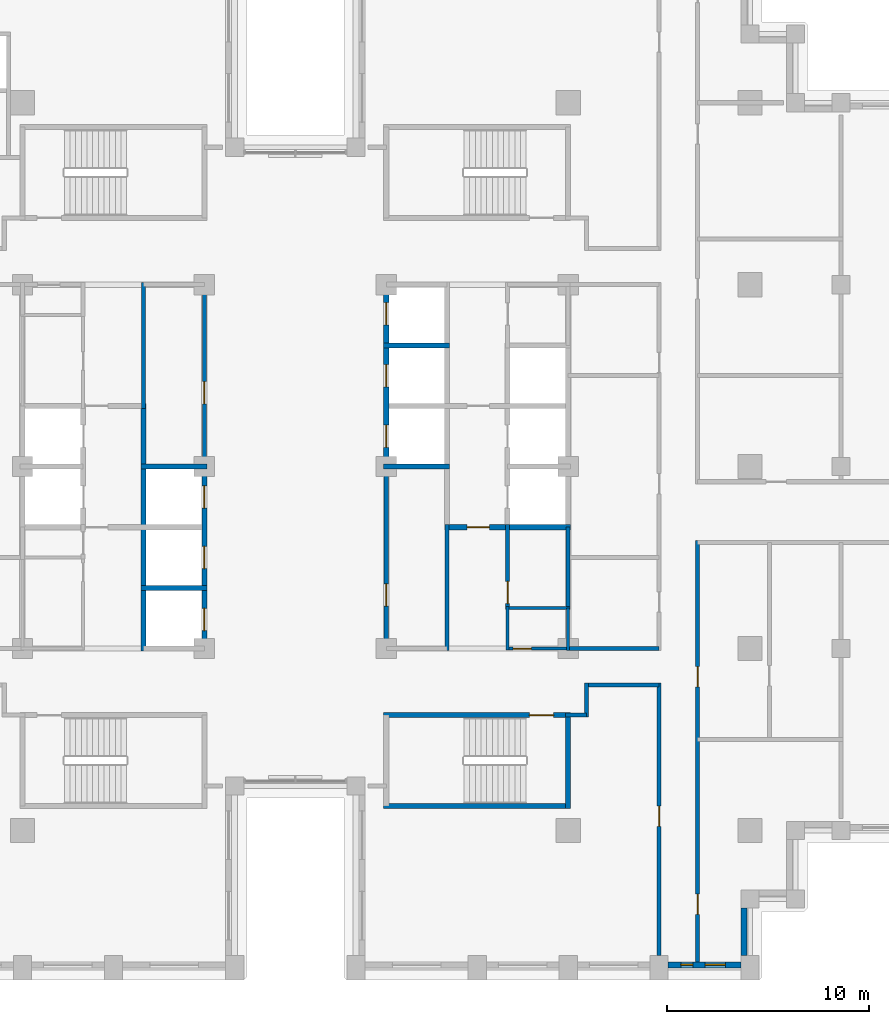
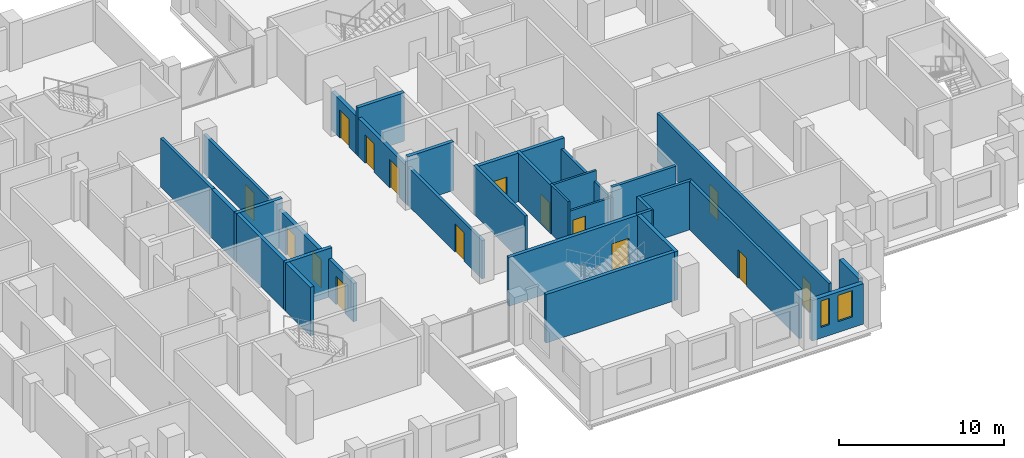
# One storey, part 8 of 16: 29 walls, 15 doors, 2 windows, 17 openings.
"""IFC4 building model written with IfcOpenShell, lengths in metres."""

from ifc_helpers import new_model, si_unit, direction, frame, frame_2d, origin, place, context, subcontext, project, spatial, rectangle, extrude, material, layer, layer_set, type_object, element, fill, save


model = new_model("IFC4")

# Units and contexts
model_context = context("Model", 3, precision=1e-05, world=origin(), true_north=direction((0.0, 1.0)))
body_context = subcontext(model_context, "Body", "Model", "MODEL_VIEW")
ifc_project = project(units=[si_unit("LENGTHUNIT", "METRE"), si_unit("AREAUNIT", "SQUARE_METRE"), si_unit("VOLUMEUNIT", "CUBIC_METRE"), si_unit("PLANEANGLEUNIT", "RADIAN"), si_unit("MASSUNIT", "GRAM", prefix="KILO")], contexts=[model_context])

# Site, building, storey
site_placement = place(None, origin())
site = spatial("IfcSite", under=ifc_project, at=site_placement, CompositionType="ELEMENT")
building_placement = place(site_placement, origin())
building = spatial("IfcBuilding", under=site, at=building_placement, Name="Corbelhall Arena Tower", CompositionType="ELEMENT")
storey_placement = place(building_placement, frame((0.0, 0.0, 116.0)))
storey = spatial("IfcBuildingStorey", under=building, at=storey_placement, Name="L21", CompositionType="ELEMENT", Elevation=116.0)

# Wall, openings, windows
ifc_material_1 = material(Name="Precast concrete C40/50 with granite facing", Category="masonry")
ifc_layer_1 = layer(ifc_material_1, 0.300048828125)
ifc_layer_set_1 = layer_set([ifc_layer_1], Name="EV-IW1 Infill panel 300")
wall_type_1 = type_object("IfcWallType", Name="EV-IW1 Infill panel 300", PredefinedType="SOLIDWALL", material=ifc_layer_set_1)
wall_1_placement = place(storey_placement, frame((18.449951171875, -24.64990234375, 0.0), z_axis=(0.0, 0.0, 1.0), x_axis=(1.0, 0.0, 0.0)))
wall_1 = element("IfcWall", 1, at=wall_1_placement, inside=storey, type_object=wall_type_1, Name="Infill panel IW1", PredefinedType="SOLIDWALL", context=body_context, shape_type="SweptSolid", body=[
    extrude(rectangle(XDim=3.60009765625, YDim=0.300048828125, at=frame_2d((1.800048828125, 0.0))), origin(), (0.0, 0.0, 1.0), 2.99951171875),
])
opening_1_placement = place(wall_1_placement, frame((0.625, 0.0, 0.800048828125)))
opening_1 = element("IfcOpeningElement", 2, at=opening_1_placement, cuts=wall_1, Name="Opening WN5", PredefinedType="OPENING", context=body_context, shape_type="SweptSolid", body=[
    extrude(rectangle(XDim=0.60009765625, YDim=1.949951171875, at=frame_2d((0.300048828125, 0.97509765625))), frame((0.0, 0.14990234375, 0.0), z_axis=(0.0, -1.0, 0.0), x_axis=(1.0, 0.0, 0.0)), (0.0, 0.0, 1.0), 0.300048828125),
])
opening_2_placement = place(wall_1_placement, frame((1.824951171875, 0.0, 0.800048828125)))
opening_2 = element("IfcOpeningElement", 3, at=opening_2_placement, cuts=wall_1, Name="Opening WN6", PredefinedType="OPENING", context=body_context, shape_type="SweptSolid", body=[
    extrude(rectangle(XDim=1.0, YDim=1.949951171875, at=frame_2d((0.5, 0.97509765625))), frame((0.0, 0.14990234375, 0.0), z_axis=(0.0, -1.0, 0.0), x_axis=(1.0, 0.0, 0.0)), (0.0, 0.0, 1.0), 0.300048828125),
])
ifc_material_2 = material(Name="Aluminium black anodised", Category="aluminium")
window_type_1 = type_object("IfcWindowType", Name="EV-WN5 Office window 600", PartitioningType="SINGLE_PANEL", PredefinedType="WINDOW", material=ifc_material_2)
window_1_placement = place(opening_1_placement, origin())
window_1 = element("IfcWindow", 4, at=window_1_placement, inside=storey, type_object=window_type_1, Name="Window WN5", OverallHeight=1.949951171875, OverallWidth=0.60009765625, PartitioningType="SINGLE_PANEL", PredefinedType="WINDOW", context=body_context, shape_type="SweptSolid", body=[
    extrude(rectangle(XDim=0.60009765625, YDim=1.949951171875, at=frame_2d((0.300048828125, 0.97509765625))), frame((0.0, 0.030029296875, 0.0), z_axis=(0.0, -1.0, 0.0), x_axis=(1.0, 0.0, 0.0)), (0.0, 0.0, 1.0), 0.06005859375),
])
fill(opening_1, window_1)
window_type_2 = type_object("IfcWindowType", Name="EV-WN6 Office window 1000", PartitioningType="SINGLE_PANEL", PredefinedType="WINDOW", material=ifc_material_2)
window_2_placement = place(opening_2_placement, origin())
window_2 = element("IfcWindow", 5, at=window_2_placement, inside=storey, type_object=window_type_2, Name="Window WN6", OverallHeight=1.949951171875, OverallWidth=1.0, PartitioningType="SINGLE_PANEL", PredefinedType="WINDOW", context=body_context, shape_type="SweptSolid", body=[
    extrude(rectangle(XDim=1.0, YDim=1.949951171875, at=frame_2d((0.5, 0.97509765625))), frame((0.0, 0.030029296875, 0.0), z_axis=(0.0, -1.0, 0.0), x_axis=(1.0, 0.0, 0.0)), (0.0, 0.0, 1.0), 0.06005859375),
])
fill(opening_2, window_2)

# Walls
wall_2_placement = place(storey_placement, frame((22.199951171875, -24.199951171875, 0.0), z_axis=(0.0, 0.0, 1.0), x_axis=(0.0, 1.0, 0.0)))
element("IfcWall", 6, at=wall_2_placement, inside=storey, type_object=wall_type_1, Name="Infill panel IW1", PredefinedType="SOLIDWALL", context=body_context, shape_type="SweptSolid", body=[
    extrude(rectangle(XDim=2.349853515625, YDim=0.300048828125, at=frame_2d((1.1748046875, 0.0))), origin(), (0.0, 0.0, 1.0), 2.99951171875),
])
ifc_material_3 = material(Name="Gypsum board on steel stud, acoustic", Category="steel")
ifc_layer_2 = layer(ifc_material_3, 0.199951171875)
ifc_layer_set_2 = layer_set([ifc_layer_2], Name="IN-W-DM200")
wall_type_2 = type_object("IfcWallType", Name="IN-W-DM200", PredefinedType="PARTITIONING", material=ifc_layer_set_2)
wall_3_placement = place(storey_placement, frame((13.5, -9.0, 0.0), z_axis=(0.0, 0.0, 1.0), x_axis=(1.0, 0.0, 0.0)))
element("IfcWall", 7, at=wall_3_placement, inside=storey, type_object=wall_type_2, Name="Partition 037", PredefinedType="PARTITIONING", context=body_context, shape_type="SweptSolid", body=[
    extrude(rectangle(XDim=4.5, YDim=0.199951171875, at=frame_2d((2.25, 0.0))), origin(), (0.0, 0.0, 1.0), 3.599609375),
])
wall_4_placement = place(storey_placement, frame((14.39990234375, -12.300048828125, 0.0), z_axis=(0.0, 0.0, 1.0), x_axis=(-1.0, 0.0, 0.0)))
element("IfcWall", 8, at=wall_4_placement, inside=storey, type_object=wall_type_2, Name="Partition 040", PredefinedType="PARTITIONING", context=body_context, shape_type="SweptSolid", body=[
    extrude(rectangle(XDim=1.02490234375, YDim=0.199951171875, at=frame_2d((0.512451171875, 0.0))), origin(), (0.0, 0.0, 1.0), 3.599609375),
])
wall_5_placement = place(storey_placement, frame((14.39990234375, -10.699951171875, 0.0), z_axis=(0.0, 0.0, 1.0), x_axis=(0.0, -1.0, 0.0)))
element("IfcWall", 9, at=wall_5_placement, inside=storey, type_object=wall_type_2, Name="Partition 041", PredefinedType="PARTITIONING", context=body_context, shape_type="SweptSolid", body=[
    extrude(rectangle(XDim=1.699951171875, YDim=0.199951171875, at=frame_2d((0.85009765625, 0.0))), origin(), (0.0, 0.0, 1.0), 3.599609375),
])

# Wall, opening, door
wall_6_placement = place(storey_placement, frame((18.0, -24.199951171875, 0.0), z_axis=(0.0, 0.0, 1.0), x_axis=(0.0, 1.0, 0.0)))
wall_6 = element("IfcWall", 10, at=wall_6_placement, inside=storey, type_object=wall_type_2, Name="Partition 045", PredefinedType="PARTITIONING", context=body_context, shape_type="SweptSolid", body=[
    extrude(rectangle(XDim=13.5, YDim=0.199951171875, at=frame_2d((6.75, 0.0))), origin(), (0.0, 0.0, 1.0), 3.599609375),
])
opening_3_placement = place(wall_6_placement, frame((6.39990234375, 0.0, 0.0)))
opening_3 = element("IfcOpeningElement", 11, at=opening_3_placement, cuts=wall_6, Name="Opening 05030", PredefinedType="OPENING", context=body_context, shape_type="SweptSolid", body=[
    extrude(rectangle(XDim=1.0, YDim=2.10009765625, at=frame_2d((0.5, 1.050048828125))), frame((0.0, 0.10009765625, 0.0), z_axis=(0.0, -1.0, 0.0), x_axis=(1.0, 0.0, 0.0)), (0.0, 0.0, 1.0), 0.199951171875),
])
ifc_material_4 = material(Name="Steel door set", Category="steel")
door_type_1 = type_object("IfcDoorType", Name="IN-D-SW100", OperationType="NOTDEFINED", PredefinedType="DOOR", material=ifc_material_4)
door_1_placement = place(opening_3_placement, origin())
door_1 = element("IfcDoor", 12, at=door_1_placement, inside=storey, type_object=door_type_1, Name="Door 030", OperationType="SINGLE_SWING_LEFT", OverallHeight=2.10009765625, OverallWidth=1.0, PredefinedType="DOOR", context=body_context, shape_type="SweptSolid", body=[
    extrude(rectangle(XDim=1.0, YDim=2.10009765625, at=frame_2d((0.5, 1.050048828125))), frame((0.0, 0.02490234375, 0.0), z_axis=(0.0, -1.0, 0.0), x_axis=(1.0, 0.0, 0.0)), (0.0, 0.0, 1.0), 0.050048828125),
])
fill(opening_3, door_1)

# Wall
wall_7_placement = place(storey_placement, frame((18.0, -10.800048828125, 0.0), z_axis=(0.0, 0.0, 1.0), x_axis=(-1.0, 0.0, 0.0)))
element("IfcWall", 13, at=wall_7_placement, inside=storey, type_object=wall_type_2, Name="Partition 046", PredefinedType="PARTITIONING", context=body_context, shape_type="SweptSolid", body=[
    extrude(rectangle(XDim=3.60009765625, YDim=0.199951171875, at=frame_2d((1.800048828125, 0.0))), origin(), (0.0, 0.0, 1.0), 3.599609375),
])

# Wall, openings, doors
wall_8_placement = place(storey_placement, frame((19.89990234375, -3.64990234375, 0.0), z_axis=(0.0, 0.0, 1.0), x_axis=(0.0, -1.0, 0.0)))
wall_8 = element("IfcWall", 14, at=wall_8_placement, inside=storey, type_object=wall_type_2, Name="Partition 050", PredefinedType="PARTITIONING", context=body_context, shape_type="SweptSolid", body=[
    extrude(rectangle(XDim=20.85009765625, YDim=0.199951171875, at=frame_2d((10.425048828125, 0.0))), origin(), (0.0, 0.0, 1.0), 3.599609375),
])
opening_4_placement = place(wall_8_placement, frame((17.5, 0.0, 0.0)))
opening_4 = element("IfcOpeningElement", 15, at=opening_4_placement, cuts=wall_8, Name="Opening 05042", PredefinedType="OPENING", context=body_context, shape_type="SweptSolid", body=[
    extrude(rectangle(XDim=1.0, YDim=2.10009765625, at=frame_2d((0.5, 1.050048828125))), frame((0.0, 0.10009765625, 0.0), z_axis=(0.0, -1.0, 0.0), x_axis=(1.0, 0.0, 0.0)), (0.0, 0.0, 1.0), 0.199951171875),
])
opening_5_placement = place(wall_8_placement, frame((6.25, 0.0, 0.0)))
opening_5 = element("IfcOpeningElement", 16, at=opening_5_placement, cuts=wall_8, Name="Opening 05043", PredefinedType="OPENING", context=body_context, shape_type="SweptSolid", body=[
    extrude(rectangle(XDim=1.0, YDim=2.10009765625, at=frame_2d((0.5, 1.050048828125))), frame((0.0, 0.10009765625, 0.0), z_axis=(0.0, -1.0, 0.0), x_axis=(1.0, 0.0, 0.0)), (0.0, 0.0, 1.0), 0.199951171875),
])
door_2_placement = place(opening_4_placement, origin())
door_2 = element("IfcDoor", 17, at=door_2_placement, inside=storey, type_object=door_type_1, Name="Door 042", OperationType="SINGLE_SWING_LEFT", OverallHeight=2.10009765625, OverallWidth=1.0, PredefinedType="DOOR", context=body_context, shape_type="SweptSolid", body=[
    extrude(rectangle(XDim=1.0, YDim=2.10009765625, at=frame_2d((0.5, 1.050048828125))), frame((0.0, 0.02490234375, 0.0), z_axis=(0.0, -1.0, 0.0), x_axis=(1.0, 0.0, 0.0)), (0.0, 0.0, 1.0), 0.050048828125),
])
fill(opening_4, door_2)
door_3_placement = place(opening_5_placement, origin())
door_3 = element("IfcDoor", 18, at=door_3_placement, inside=storey, type_object=door_type_1, Name="Door 043", OperationType="SINGLE_SWING_RIGHT", OverallHeight=2.10009765625, OverallWidth=1.0, PredefinedType="DOOR", context=body_context, shape_type="SweptSolid", body=[
    extrude(rectangle(XDim=1.0, YDim=2.10009765625, at=frame_2d((0.5, 1.050048828125))), frame((0.0, 0.02490234375, 0.0), z_axis=(0.0, -1.0, 0.0), x_axis=(1.0, 0.0, 0.0)), (0.0, 0.0, 1.0), 0.050048828125),
])
fill(opening_5, door_3)

# Walls
ifc_material_5 = material(Name="Concrete block wall", Category="concrete")
ifc_layer_3 = layer(ifc_material_5, 0.199951171875)
ifc_layer_set_3 = layer_set([ifc_layer_3], Name="IN-W-RS200")
wall_type_3 = type_object("IfcWallType", Name="IN-W-RS200", PredefinedType="SOLIDWALL", material=ifc_layer_set_3)
for number, where, z_axis, x_axis, name in (
    (19, (-7.5, 2.875, 0.0), (0.0, 0.0, 1.0), (0.0, 1.0, 0.0), "Partition 069"),
    (20, (7.5, -2.875, 0.0), (0.0, 0.0, 1.0), (0.0, -1.0, 0.0), "Partition 074"),
):
    element("IfcWall", number, at=place(storey_placement, frame(where, z_axis=z_axis, x_axis=x_axis)), inside=storey, type_object=wall_type_3, Name=name, PredefinedType="SOLIDWALL", context=body_context, shape_type="SweptSolid", body=[
        extrude(rectangle(XDim=6.22509765625, YDim=0.199951171875, at=frame_2d((3.112548828125, 0.0))), origin(), (0.0, 0.0, 1.0), 3.599609375),
    ])

# Wall, opening, door
wall_9_placement = place(storey_placement, frame((10.5, -2.875, 0.0), z_axis=(0.0, 0.0, 1.0), x_axis=(0.0, -1.0, 0.0)))
wall_9 = element("IfcWall", 21, at=wall_9_placement, inside=storey, type_object=wall_type_3, Name="Partition 075", PredefinedType="SOLIDWALL", context=body_context, shape_type="SweptSolid", body=[
    extrude(rectangle(XDim=4.199951171875, YDim=0.199951171875, at=frame_2d((2.10009765625, 0.0))), origin(), (0.0, 0.0, 1.0), 3.599609375),
])
opening_6_placement = place(wall_9_placement, frame((2.800048828125, 0.0, 0.0)))
opening_6 = element("IfcOpeningElement", 22, at=opening_6_placement, cuts=wall_9, Name="Opening 05012", PredefinedType="OPENING", context=body_context, shape_type="SweptSolid", body=[
    extrude(rectangle(XDim=1.10009765625, YDim=2.10009765625, at=frame_2d((0.550048828125, 1.050048828125))), frame((0.0, 0.10009765625, 0.0), z_axis=(0.0, -1.0, 0.0), x_axis=(1.0, 0.0, 0.0)), (0.0, 0.0, 1.0), 0.199951171875),
])
door_type_2 = type_object("IfcDoorType", Name="IN-D-FD110", OperationType="NOTDEFINED", PredefinedType="DOOR", material=ifc_material_4)
door_4_placement = place(opening_6_placement, origin())
door_4 = element("IfcDoor", 23, at=door_4_placement, inside=storey, type_object=door_type_2, Name="Door 012", OperationType="SINGLE_SWING_LEFT", OverallHeight=2.10009765625, OverallWidth=1.10009765625, PredefinedType="DOOR", context=body_context, shape_type="SweptSolid", body=[
    extrude(rectangle(XDim=1.10009765625, YDim=2.10009765625, at=frame_2d((0.550048828125, 1.050048828125))), frame((0.0, 0.02490234375, 0.0), z_axis=(0.0, -1.0, 0.0), x_axis=(1.0, 0.0, 0.0)), (0.0, 0.0, 1.0), 0.050048828125),
])
fill(opening_6, door_4)

ifc_layer_4 = layer(ifc_material_5, 0.199951171875)
ifc_layer_set_4 = layer_set([ifc_layer_4], Name="IN-W-RS200 under beam 762 mm")
wall_type_4 = type_object("IfcWallType", Name="IN-W-RS200 under beam 762 mm", PredefinedType="SOLIDWALL", material=ifc_layer_set_4)
wall_10_placement = place(storey_placement, frame((-4.5, 9.10009765625, 0.0), z_axis=(0.0, 0.0, 1.0), x_axis=(0.0, -1.0, 0.0)))
wall_10 = element("IfcWall", 24, at=wall_10_placement, inside=storey, type_object=wall_type_4, Name="Partition 071", PredefinedType="SOLIDWALL", context=body_context, shape_type="SweptSolid", body=[
    extrude(rectangle(XDim=9.10009765625, YDim=0.199951171875, at=frame_2d((4.550048828125, 0.0))), origin(), (0.0, 0.0, 1.0), 2.837646484375),
])
opening_7_placement = place(wall_10_placement, frame((4.89990234375, 0.0, 0.0)))
opening_7 = element("IfcOpeningElement", 25, at=opening_7_placement, cuts=wall_10, Name="Opening 05001", PredefinedType="OPENING", context=body_context, shape_type="SweptSolid", body=[
    extrude(rectangle(XDim=1.10009765625, YDim=2.10009765625, at=frame_2d((0.550048828125, 1.050048828125))), frame((0.0, 0.10009765625, 0.0), z_axis=(0.0, -1.0, 0.0), x_axis=(1.0, 0.0, 0.0)), (0.0, 0.0, 1.0), 0.199951171875),
])
door_5_placement = place(opening_7_placement, origin())
door_5 = element("IfcDoor", 26, at=door_5_placement, inside=storey, type_object=door_type_2, Name="Door 001", OperationType="SINGLE_SWING_RIGHT", OverallHeight=2.10009765625, OverallWidth=1.10009765625, PredefinedType="DOOR", context=body_context, shape_type="SweptSolid", body=[
    extrude(rectangle(XDim=1.10009765625, YDim=2.10009765625, at=frame_2d((0.550048828125, 1.050048828125))), frame((0.0, 0.02490234375, 0.0), z_axis=(0.0, -1.0, 0.0), x_axis=(1.0, 0.0, 0.0)), (0.0, 0.0, 1.0), 0.050048828125),
])
fill(opening_7, door_5)

wall_11_placement = place(storey_placement, frame((4.5, -9.10009765625, 0.0), z_axis=(0.0, 0.0, 1.0), x_axis=(0.0, 1.0, 0.0)))
wall_11 = element("IfcWall", 27, at=wall_11_placement, inside=storey, type_object=wall_type_4, Name="Partition 072", PredefinedType="SOLIDWALL", context=body_context, shape_type="SweptSolid", body=[
    extrude(rectangle(XDim=9.10009765625, YDim=0.199951171875, at=frame_2d((4.550048828125, 0.0))), origin(), (0.0, 0.0, 1.0), 2.837646484375),
])
opening_8_placement = place(wall_11_placement, frame((2.199951171875, 0.0, 0.0)))
opening_8 = element("IfcOpeningElement", 28, at=opening_8_placement, cuts=wall_11, Name="Opening 05008", PredefinedType="OPENING", context=body_context, shape_type="SweptSolid", body=[
    extrude(rectangle(XDim=1.10009765625, YDim=2.10009765625, at=frame_2d((0.550048828125, 1.050048828125))), frame((0.0, 0.10009765625, 0.0), z_axis=(0.0, -1.0, 0.0), x_axis=(1.0, 0.0, 0.0)), (0.0, 0.0, 1.0), 0.199951171875),
])
door_6_placement = place(opening_8_placement, origin())
door_6 = element("IfcDoor", 29, at=door_6_placement, inside=storey, type_object=door_type_2, Name="Door 008", OperationType="SINGLE_SWING_LEFT", OverallHeight=2.10009765625, OverallWidth=1.10009765625, PredefinedType="DOOR", context=body_context, shape_type="SweptSolid", body=[
    extrude(rectangle(XDim=1.10009765625, YDim=2.10009765625, at=frame_2d((0.550048828125, 1.050048828125))), frame((0.0, 0.02490234375, 0.0), z_axis=(0.0, -1.0, 0.0), x_axis=(1.0, 0.0, 0.0)), (0.0, 0.0, 1.0), 0.050048828125),
])
fill(opening_8, door_6)

# Walls
wall_12_placement = place(storey_placement, frame((13.5, -3.0, 0.0), z_axis=(0.0, 0.0, 1.0), x_axis=(0.0, -1.0, 0.0)))
element("IfcWall", 30, at=wall_12_placement, inside=storey, type_object=wall_type_4, Name="Partition 078", PredefinedType="SOLIDWALL", context=body_context, shape_type="SweptSolid", body=[
    extrude(rectangle(XDim=4.0, YDim=0.199951171875, at=frame_2d((2.0, 0.0))), origin(), (0.0, 0.0, 1.0), 2.837646484375),
])
ifc_material_6 = material(Name="Concrete C40/50", Category="concrete")
ifc_layer_5 = layer(ifc_material_6, 0.25)
ifc_layer_set_5 = layer_set([ifc_layer_5], Name="IN-W-SH250")
wall_type_5 = type_object("IfcWallType", Name="IN-W-SH250", PredefinedType="SOLIDWALL", material=ifc_layer_set_5)
for number, where, z_axis, x_axis, name in (
    (31, (-7.625, -6.0, 0.0), (0.0, 0.0, 1.0), (1.0, 0.0, 0.0), "Shaft wall 085"),
    (32, (-7.625, 0.0, 0.0), (0.0, 0.0, 1.0), (1.0, 0.0, 0.0), "Shaft wall 086"),
):
    element("IfcWall", number, at=place(storey_placement, frame(where, z_axis=z_axis, x_axis=x_axis)), inside=storey, type_object=wall_type_5, Name=name, PredefinedType="SOLIDWALL", context=body_context, shape_type="SweptSolid", body=[
        extrude(rectangle(XDim=3.25, YDim=0.25, at=frame_2d((1.625, 0.0))), origin(), (0.0, 0.0, 1.0), 3.599609375),
    ])
wall_13_placement = place(storey_placement, frame((-7.5, -9.125, 0.0), z_axis=(0.0, 0.0, 1.0), x_axis=(0.0, 1.0, 0.0)))
element("IfcWall", 33, at=wall_13_placement, inside=storey, type_object=wall_type_5, Name="Shaft wall 087", PredefinedType="SOLIDWALL", context=body_context, shape_type="SweptSolid", body=[
    extrude(rectangle(XDim=12.25, YDim=0.25, at=frame_2d((6.125, 0.0))), origin(), (0.0, 0.0, 1.0), 3.599609375),
])
for number, where, z_axis, x_axis, name in (
    (34, (4.375, 0.0, 0.0), (0.0, 0.0, 1.0), (1.0, 0.0, 0.0), "Shaft wall 090"),
    (35, (4.375, 6.0, 0.0), (0.0, 0.0, 1.0), (1.0, 0.0, 0.0), "Shaft wall 092"),
):
    element("IfcWall", number, at=place(storey_placement, frame(where, z_axis=z_axis, x_axis=x_axis)), inside=storey, type_object=wall_type_5, Name=name, PredefinedType="SOLIDWALL", context=body_context, shape_type="SweptSolid", body=[
        extrude(rectangle(XDim=3.25, YDim=0.25, at=frame_2d((1.625, 0.0))), origin(), (0.0, 0.0, 1.0), 3.599609375),
    ])

# Wall, opening, door
wall_14_placement = place(storey_placement, frame((7.5, -3.0, 0.0), z_axis=(0.0, 0.0, 1.0), x_axis=(1.0, 0.0, 0.0)))
wall_14 = element("IfcWall", 36, at=wall_14_placement, inside=storey, type_object=wall_type_5, Name="Shaft wall 095", PredefinedType="SOLIDWALL", context=body_context, shape_type="SweptSolid", body=[
    extrude(rectangle(XDim=6.125, YDim=0.25, at=frame_2d((3.0625, 0.0))), origin(), (0.0, 0.0, 1.0), 3.599609375),
])
opening_9_placement = place(wall_14_placement, frame((1.0, 0.0, 0.0)))
opening_9 = element("IfcOpeningElement", 37, at=opening_9_placement, cuts=wall_14, Name="Opening 05009", PredefinedType="OPENING", context=body_context, shape_type="SweptSolid", body=[
    extrude(rectangle(XDim=1.10009765625, YDim=2.10009765625, at=frame_2d((0.550048828125, 1.050048828125))), frame((0.0, 0.125, 0.0), z_axis=(0.0, -1.0, 0.0), x_axis=(1.0, 0.0, 0.0)), (0.0, 0.0, 1.0), 0.25),
])
door_7_placement = place(opening_9_placement, origin())
door_7 = element("IfcDoor", 38, at=door_7_placement, inside=storey, type_object=door_type_2, Name="Door 009", OperationType="SINGLE_SWING_RIGHT", OverallHeight=2.10009765625, OverallWidth=1.10009765625, PredefinedType="DOOR", context=body_context, shape_type="SweptSolid", body=[
    extrude(rectangle(XDim=1.10009765625, YDim=2.10009765625, at=frame_2d((0.550048828125, 1.050048828125))), frame((0.0, 0.02490234375, 0.0), z_axis=(0.0, -1.0, 0.0), x_axis=(1.0, 0.0, 0.0)), (0.0, 0.0, 1.0), 0.050048828125),
])
fill(opening_9, door_7)

# Wall, openings, doors
ifc_layer_6 = layer(ifc_material_6, 0.25)
ifc_layer_set_6 = layer_set([ifc_layer_6], Name="IN-W-SH250 under beam 762 mm")
wall_type_6 = type_object("IfcWallType", Name="IN-W-SH250 under beam 762 mm", PredefinedType="SOLIDWALL", material=ifc_layer_set_6)
wall_15_placement = place(storey_placement, frame((-4.5, 0.0, 0.0), z_axis=(0.0, 0.0, 1.0), x_axis=(0.0, -1.0, 0.0)))
wall_15 = element("IfcWall", 39, at=wall_15_placement, inside=storey, type_object=wall_type_6, Name="Shaft wall 089", PredefinedType="SOLIDWALL", context=body_context, shape_type="SweptSolid", body=[
    extrude(rectangle(XDim=9.125, YDim=0.25, at=frame_2d((4.5625, 0.0))), origin(), (0.0, 0.0, 1.0), 2.837646484375),
])
opening_10_placement = place(wall_15_placement, frame((7.012451171875, 0.0, 0.0)))
opening_10 = element("IfcOpeningElement", 40, at=opening_10_placement, cuts=wall_15, Name="Opening LD", PredefinedType="OPENING", context=body_context, shape_type="SweptSolid", body=[
    extrude(rectangle(XDim=1.10009765625, YDim=2.10009765625, at=frame_2d((0.550048828125, 1.050048828125))), frame((0.0, 0.125, 0.0), z_axis=(0.0, -1.0, 0.0), x_axis=(1.0, 0.0, 0.0)), (0.0, 0.0, 1.0), 0.25),
])
opening_11_placement = place(wall_15_placement, frame((3.949951171875, 0.0, 0.0)))
opening_11 = element("IfcOpeningElement", 41, at=opening_11_placement, cuts=wall_15, Name="Opening LD", PredefinedType="OPENING", context=body_context, shape_type="SweptSolid", body=[
    extrude(rectangle(XDim=1.10009765625, YDim=2.10009765625, at=frame_2d((0.550048828125, 1.050048828125))), frame((0.0, 0.125, 0.0), z_axis=(0.0, -1.0, 0.0), x_axis=(1.0, 0.0, 0.0)), (0.0, 0.0, 1.0), 0.25),
])
opening_12_placement = place(wall_15_placement, frame((0.949951171875, 0.0, 0.0)))
opening_12 = element("IfcOpeningElement", 42, at=opening_12_placement, cuts=wall_15, Name="Opening LD", PredefinedType="OPENING", context=body_context, shape_type="SweptSolid", body=[
    extrude(rectangle(XDim=1.10009765625, YDim=2.10009765625, at=frame_2d((0.550048828125, 1.050048828125))), frame((0.0, 0.125, 0.0), z_axis=(0.0, -1.0, 0.0), x_axis=(1.0, 0.0, 0.0)), (0.0, 0.0, 1.0), 0.25),
])
door_type_3 = type_object("IfcDoorType", Name="IN-D-LD110", OperationType="NOTDEFINED", PredefinedType="DOOR", material=ifc_material_4)
door_8_placement = place(opening_10_placement, origin())
door_8 = element("IfcDoor", 43, at=door_8_placement, inside=storey, type_object=door_type_3, Name="Landing door W1", OperationType="SLIDING_TO_LEFT", OverallHeight=2.10009765625, OverallWidth=1.10009765625, PredefinedType="DOOR", context=body_context, shape_type="SweptSolid", body=[
    extrude(rectangle(XDim=1.10009765625, YDim=2.10009765625, at=frame_2d((0.550048828125, 1.050048828125))), frame((0.0, 0.02490234375, 0.0), z_axis=(0.0, -1.0, 0.0), x_axis=(1.0, 0.0, 0.0)), (0.0, 0.0, 1.0), 0.050048828125),
])
fill(opening_10, door_8)
door_9_placement = place(opening_11_placement, origin())
door_9 = element("IfcDoor", 44, at=door_9_placement, inside=storey, type_object=door_type_3, Name="Landing door W2", OperationType="SLIDING_TO_LEFT", OverallHeight=2.10009765625, OverallWidth=1.10009765625, PredefinedType="DOOR", context=body_context, shape_type="SweptSolid", body=[
    extrude(rectangle(XDim=1.10009765625, YDim=2.10009765625, at=frame_2d((0.550048828125, 1.050048828125))), frame((0.0, 0.02490234375, 0.0), z_axis=(0.0, -1.0, 0.0), x_axis=(1.0, 0.0, 0.0)), (0.0, 0.0, 1.0), 0.050048828125),
])
fill(opening_11, door_9)
door_10_placement = place(opening_12_placement, origin())
door_10 = element("IfcDoor", 45, at=door_10_placement, inside=storey, type_object=door_type_3, Name="Landing door W3", OperationType="SLIDING_TO_LEFT", OverallHeight=2.10009765625, OverallWidth=1.10009765625, PredefinedType="DOOR", context=body_context, shape_type="SweptSolid", body=[
    extrude(rectangle(XDim=1.10009765625, YDim=2.10009765625, at=frame_2d((0.550048828125, 1.050048828125))), frame((0.0, 0.02490234375, 0.0), z_axis=(0.0, -1.0, 0.0), x_axis=(1.0, 0.0, 0.0)), (0.0, 0.0, 1.0), 0.050048828125),
])
fill(opening_12, door_10)

wall_16_placement = place(storey_placement, frame((4.5, 0.0, 0.0), z_axis=(0.0, 0.0, 1.0), x_axis=(0.0, 1.0, 0.0)))
wall_16 = element("IfcWall", 46, at=wall_16_placement, inside=storey, type_object=wall_type_6, Name="Shaft wall 093", PredefinedType="SOLIDWALL", context=body_context, shape_type="SweptSolid", body=[
    extrude(rectangle(XDim=9.125, YDim=0.25, at=frame_2d((4.5625, 0.0))), origin(), (0.0, 0.0, 1.0), 2.837646484375),
])
opening_13_placement = place(wall_16_placement, frame((0.949951171875, 0.0, 0.0)))
opening_13 = element("IfcOpeningElement", 47, at=opening_13_placement, cuts=wall_16, Name="Opening LD", PredefinedType="OPENING", context=body_context, shape_type="SweptSolid", body=[
    extrude(rectangle(XDim=1.10009765625, YDim=2.10009765625, at=frame_2d((0.550048828125, 1.050048828125))), frame((0.0, 0.125, 0.0), z_axis=(0.0, -1.0, 0.0), x_axis=(1.0, 0.0, 0.0)), (0.0, 0.0, 1.0), 0.25),
])
opening_14_placement = place(wall_16_placement, frame((3.949951171875, 0.0, 0.0)))
opening_14 = element("IfcOpeningElement", 48, at=opening_14_placement, cuts=wall_16, Name="Opening LD", PredefinedType="OPENING", context=body_context, shape_type="SweptSolid", body=[
    extrude(rectangle(XDim=1.10009765625, YDim=2.10009765625, at=frame_2d((0.550048828125, 1.050048828125))), frame((0.0, 0.125, 0.0), z_axis=(0.0, -1.0, 0.0), x_axis=(1.0, 0.0, 0.0)), (0.0, 0.0, 1.0), 0.25),
])
opening_15_placement = place(wall_16_placement, frame((7.012451171875, 0.0, 0.0)))
opening_15 = element("IfcOpeningElement", 49, at=opening_15_placement, cuts=wall_16, Name="Opening LD", PredefinedType="OPENING", context=body_context, shape_type="SweptSolid", body=[
    extrude(rectangle(XDim=1.10009765625, YDim=2.10009765625, at=frame_2d((0.550048828125, 1.050048828125))), frame((0.0, 0.125, 0.0), z_axis=(0.0, -1.0, 0.0), x_axis=(1.0, 0.0, 0.0)), (0.0, 0.0, 1.0), 0.25),
])
door_11_placement = place(opening_13_placement, origin())
door_11 = element("IfcDoor", 50, at=door_11_placement, inside=storey, type_object=door_type_3, Name="Landing door E4", OperationType="SLIDING_TO_LEFT", OverallHeight=2.10009765625, OverallWidth=1.10009765625, PredefinedType="DOOR", context=body_context, shape_type="SweptSolid", body=[
    extrude(rectangle(XDim=1.10009765625, YDim=2.10009765625, at=frame_2d((0.550048828125, 1.050048828125))), frame((0.0, 0.02490234375, 0.0), z_axis=(0.0, -1.0, 0.0), x_axis=(1.0, 0.0, 0.0)), (0.0, 0.0, 1.0), 0.050048828125),
])
fill(opening_13, door_11)
door_12_placement = place(opening_14_placement, origin())
door_12 = element("IfcDoor", 51, at=door_12_placement, inside=storey, type_object=door_type_3, Name="Landing door E5", OperationType="SLIDING_TO_LEFT", OverallHeight=2.10009765625, OverallWidth=1.10009765625, PredefinedType="DOOR", context=body_context, shape_type="SweptSolid", body=[
    extrude(rectangle(XDim=1.10009765625, YDim=2.10009765625, at=frame_2d((0.550048828125, 1.050048828125))), frame((0.0, 0.02490234375, 0.0), z_axis=(0.0, -1.0, 0.0), x_axis=(1.0, 0.0, 0.0)), (0.0, 0.0, 1.0), 0.050048828125),
])
fill(opening_14, door_12)
door_13_placement = place(opening_15_placement, origin())
door_13 = element("IfcDoor", 52, at=door_13_placement, inside=storey, type_object=door_type_3, Name="Landing door E6", OperationType="SLIDING_TO_LEFT", OverallHeight=2.10009765625, OverallWidth=1.10009765625, PredefinedType="DOOR", context=body_context, shape_type="SweptSolid", body=[
    extrude(rectangle(XDim=1.10009765625, YDim=2.10009765625, at=frame_2d((0.550048828125, 1.050048828125))), frame((0.0, 0.02490234375, 0.0), z_axis=(0.0, -1.0, 0.0), x_axis=(1.0, 0.0, 0.0)), (0.0, 0.0, 1.0), 0.050048828125),
])
fill(opening_15, door_13)

# Walls
ifc_layer_7 = layer(ifc_material_6, 0.25)
ifc_layer_set_7 = layer_set([ifc_layer_7], Name="IN-W-ST250")
wall_type_7 = type_object("IfcWallType", Name="IN-W-ST250", PredefinedType="SOLIDWALL", material=ifc_layer_set_7)
wall_17_placement = place(storey_placement, frame((13.5, -16.800048828125, 0.0), z_axis=(0.0, 0.0, 1.0), x_axis=(-1.0, 0.0, 0.0)))
element("IfcWall", 53, at=wall_17_placement, inside=storey, type_object=wall_type_7, Name="Shaft wall 119", PredefinedType="SOLIDWALL", context=body_context, shape_type="SweptSolid", body=[
    extrude(rectangle(XDim=9.125, YDim=0.25, at=frame_2d((4.5625, 0.0))), origin(), (0.0, 0.0, 1.0), 3.599609375),
])
wall_18_placement = place(storey_placement, frame((13.5, -12.300048828125, 0.0), z_axis=(0.0, 0.0, 1.0), x_axis=(0.0, -1.0, 0.0)))
element("IfcWall", 54, at=wall_18_placement, inside=storey, type_object=wall_type_7, Name="Shaft wall 120", PredefinedType="SOLIDWALL", context=body_context, shape_type="SweptSolid", body=[
    extrude(rectangle(XDim=4.625, YDim=0.25, at=frame_2d((2.3125, 0.0))), origin(), (0.0, 0.0, 1.0), 3.599609375),
])

# Wall, opening, door
wall_19_placement = place(storey_placement, frame((13.625, -12.300048828125, 0.0), z_axis=(0.0, 0.0, 1.0), x_axis=(-1.0, 0.0, 0.0)))
wall_19 = element("IfcWall", 55, at=wall_19_placement, inside=storey, type_object=wall_type_7, Name="Shaft wall 122", PredefinedType="SOLIDWALL", context=body_context, shape_type="SweptSolid", body=[
    extrude(rectangle(XDim=9.25, YDim=0.25, at=frame_2d((4.625, 0.0))), origin(), (0.0, 0.0, 1.0), 3.599609375),
])
opening_16_placement = place(wall_19_placement, frame((0.85009765625, 0.0, 0.0)))
opening_16 = element("IfcOpeningElement", 56, at=opening_16_placement, cuts=wall_19, Name="Opening 05017", PredefinedType="OPENING", context=body_context, shape_type="SweptSolid", body=[
    extrude(rectangle(XDim=1.199951171875, YDim=2.10009765625, at=frame_2d((0.60009765625, 1.050048828125))), frame((0.0, 0.125, 0.0), z_axis=(0.0, -1.0, 0.0), x_axis=(1.0, 0.0, 0.0)), (0.0, 0.0, 1.0), 0.25),
])
door_type_4 = type_object("IfcDoorType", Name="IN-D-ST120", OperationType="NOTDEFINED", PredefinedType="DOOR", material=ifc_material_4)
door_14_placement = place(opening_16_placement, origin())
door_14 = element("IfcDoor", 57, at=door_14_placement, inside=storey, type_object=door_type_4, Name="Door 017", OperationType="SINGLE_SWING_RIGHT", OverallHeight=2.10009765625, OverallWidth=1.199951171875, PredefinedType="DOOR", context=body_context, shape_type="SweptSolid", body=[
    extrude(rectangle(XDim=1.199951171875, YDim=2.10009765625, at=frame_2d((0.60009765625, 1.050048828125))), frame((0.0, 0.02490234375, 0.0), z_axis=(0.0, -1.0, 0.0), x_axis=(1.0, 0.0, 0.0)), (0.0, 0.0, 1.0), 0.050048828125),
])
fill(opening_16, door_14)

# Walls
ifc_material_7 = material(Name="Gypsum board on steel stud, moisture resistant", Category="steel")
ifc_layer_8 = layer(ifc_material_7, 0.14990234375)
ifc_layer_set_8 = layer_set([ifc_layer_8], Name="IN-W-WC150")
wall_type_8 = type_object("IfcWallType", Name="IN-W-WC150", PredefinedType="PARTITIONING", material=ifc_layer_set_8)
wall_20_placement = place(storey_placement, frame((10.5, -7.0, 0.0), z_axis=(0.0, 0.0, 1.0), x_axis=(1.0, 0.0, 0.0)))
element("IfcWall", 58, at=wall_20_placement, inside=storey, type_object=wall_type_8, Name="Partition 136", PredefinedType="PARTITIONING", context=body_context, shape_type="SweptSolid", body=[
    extrude(rectangle(XDim=3.10009765625, YDim=0.14990234375, at=frame_2d((1.550048828125, 0.0))), origin(), (0.0, 0.0, 1.0), 3.599609375),
])
wall_21_placement = place(storey_placement, frame((10.5, -6.925048828125, 0.0), z_axis=(0.0, 0.0, 1.0), x_axis=(0.0, -1.0, 0.0)))
element("IfcWall", 59, at=wall_21_placement, inside=storey, type_object=wall_type_8, Name="Partition 137", PredefinedType="PARTITIONING", context=body_context, shape_type="SweptSolid", body=[
    extrude(rectangle(XDim=2.14990234375, YDim=0.14990234375, at=frame_2d((1.074951171875, 0.0))), origin(), (0.0, 0.0, 1.0), 3.599609375),
])
ifc_layer_9 = layer(ifc_material_7, 0.14990234375)
ifc_layer_set_9 = layer_set([ifc_layer_9], Name="IN-W-WC150 under beam 762 mm")
wall_type_9 = type_object("IfcWallType", Name="IN-W-WC150 under beam 762 mm", PredefinedType="PARTITIONING", material=ifc_layer_set_9)
wall_22_placement = place(storey_placement, frame((13.5, -7.0, 0.0), z_axis=(0.0, 0.0, 1.0), x_axis=(0.0, -1.0, 0.0)))
element("IfcWall", 60, at=wall_22_placement, inside=storey, type_object=wall_type_9, Name="Partition 138", PredefinedType="PARTITIONING", context=body_context, shape_type="SweptSolid", body=[
    extrude(rectangle(XDim=2.10009765625, YDim=0.14990234375, at=frame_2d((1.050048828125, 0.0))), origin(), (0.0, 0.0, 1.0), 2.837646484375),
])

# Wall, opening, door
wall_23_placement = place(storey_placement, frame((13.574951171875, -9.0, 0.0), z_axis=(0.0, 0.0, 1.0), x_axis=(-1.0, 0.0, 0.0)))
wall_23 = element("IfcWall", 61, at=wall_23_placement, inside=storey, type_object=wall_type_9, Name="Partition 139", PredefinedType="PARTITIONING", context=body_context, shape_type="SweptSolid", body=[
    extrude(rectangle(XDim=3.074951171875, YDim=0.14990234375, at=frame_2d((1.53759765625, 0.0))), origin(), (0.0, 0.0, 1.0), 2.837646484375),
])
opening_17_placement = place(wall_23_placement, frame((1.89990234375, 0.0, 0.0)))
opening_17 = element("IfcOpeningElement", 62, at=opening_17_placement, cuts=wall_23, Name="Opening 05011", PredefinedType="OPENING", context=body_context, shape_type="SweptSolid", body=[
    extrude(rectangle(XDim=0.89990234375, YDim=2.10009765625, at=frame_2d((0.449951171875, 1.050048828125))), frame((0.0, 0.074951171875, 0.0), z_axis=(0.0, -1.0, 0.0), x_axis=(1.0, 0.0, 0.0)), (0.0, 0.0, 1.0), 0.14990234375),
])
ifc_material_8 = material(Name="Timber door set", Category="wood")
door_type_5 = type_object("IfcDoorType", Name="IN-D-SW90", OperationType="NOTDEFINED", PredefinedType="DOOR", material=ifc_material_8)
door_15_placement = place(opening_17_placement, origin())
door_15 = element("IfcDoor", 63, at=door_15_placement, inside=storey, type_object=door_type_5, Name="Door 011", OperationType="SINGLE_SWING_RIGHT", OverallHeight=2.10009765625, OverallWidth=0.89990234375, PredefinedType="DOOR", context=body_context, shape_type="SweptSolid", body=[
    extrude(rectangle(XDim=0.89990234375, YDim=2.10009765625, at=frame_2d((0.449951171875, 1.050048828125))), frame((0.0, 0.02490234375, 0.0), z_axis=(0.0, -1.0, 0.0), x_axis=(1.0, 0.0, 0.0)), (0.0, 0.0, 1.0), 0.050048828125),
])
fill(opening_17, door_15)

save(model, "model.ifc")
